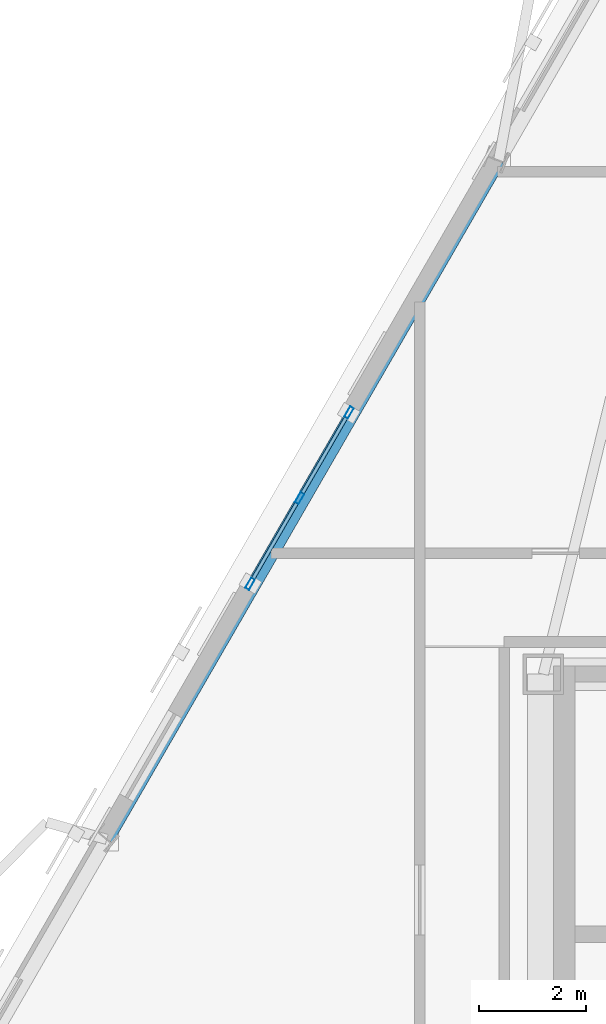
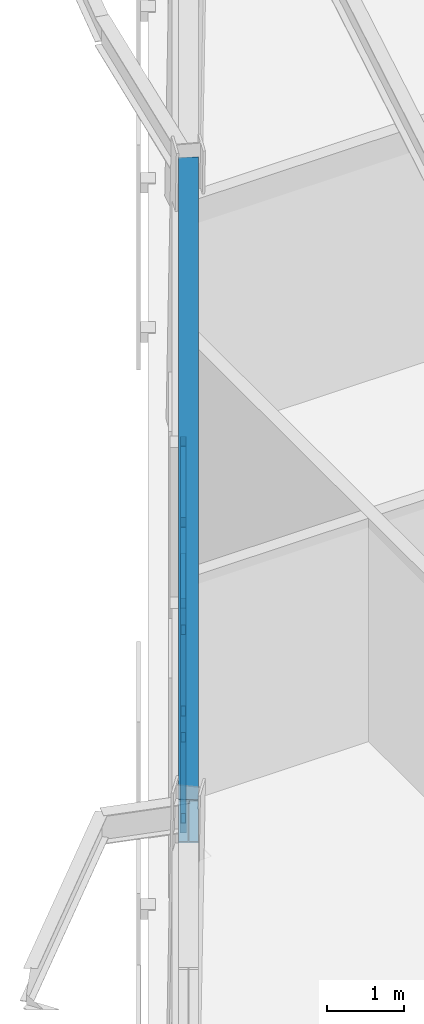
# One storey, part 4 of 14: 9 members, 1 beam, 1 element without a shape of its own.
"""IFC4 building model written with IfcOpenShell, lengths in metres."""

from ifc_helpers import new_model, si_unit, direction, frame, origin, origin_2d, place, context, subcontext, project, spatial, hollow_rectangle, i_section, extrude, material, layer, layer_set, material_profile, profile_set, type_object, element, aggregate, save


model = new_model("IFC4")

# Units and contexts
model_context = context("Model", 3, precision=1e-05, world=origin(), true_north=direction((0.0, 1.0)))
body_context = subcontext(model_context, "Body", "Model", "MODEL_VIEW")
ifc_project = project(units=[si_unit("LENGTHUNIT", "METRE"), si_unit("AREAUNIT", "SQUARE_METRE"), si_unit("VOLUMEUNIT", "CUBIC_METRE"), si_unit("PLANEANGLEUNIT", "RADIAN"), si_unit("MASSUNIT", "GRAM", prefix="KILO")], contexts=[model_context])

# Site, building, storey
site_placement = place(None, origin())
site = spatial("IfcSite", under=ifc_project, at=site_placement, CompositionType="ELEMENT")
building_placement = place(site_placement, origin())
building = spatial("IfcBuilding", under=site, at=building_placement, Name="Oramaril Tower", CompositionType="ELEMENT")
storey_placement = place(building_placement, frame((0.0, 0.0, 204.60009765625)))
storey = spatial("IfcBuildingStorey", under=building, at=storey_placement, Name="L54", CompositionType="ELEMENT", Elevation=204.60009765625)

# Beam
ifc_material_1 = material(Name="Steel ASTM A572 Gr 50", Category="steel")
ifc_material_profile_1 = material_profile(ifc_material_1, i_section(OverallWidth=0.257080078125, OverallDepth=0.693115234375, WebThickness=0.014404296875, FlangeThickness=0.023681640625, at=origin_2d()), Name="W27X114")
ifc_profile_set_1 = profile_set([ifc_material_profile_1], Name="Steel ASTM A572 Gr 50")
beam_type = type_object("IfcBeamType", Name="BT-SP4", PredefinedType="SPANDREL", material=ifc_profile_set_1)
beam_placement = place(storey_placement, frame((28.517578125, 33.70751953125, 3.933349609375), z_axis=(-0.499996765972, -0.866027270944, 0.0), x_axis=(0.866027270944, -0.499996765972, 0.0)))
element("IfcBeam", 1, at=beam_placement, inside=storey, type_object=beam_type, Name="L54 Perimeter Spandrel 16", PredefinedType="SPANDREL", context=body_context, shape_type="SweptSolid", body=[
    extrude(i_section(OverallWidth=0.257080078125, OverallDepth=0.693115234375, WebThickness=0.014404296875, FlangeThickness=0.023681640625, at=origin_2d()), origin(), (0.0, 0.0, 1.0), 14.58642578125),
])

# Curtain wall, members
ifc_material_2 = material(Name="Anodised Aluminium 6063-T6", Category="aluminium")
ifc_layer = layer(ifc_material_2, 0.219970703125)
ifc_layer_set = layer_set([ifc_layer], Name="CWT-SYS5")
curtain_wall_type = type_object("IfcCurtainWallType", Name="CWT-SYS5", PredefinedType="NOTDEFINED", material=ifc_layer_set)
curtain_wall_placement = place(storey_placement, origin())
curtain_wall = element("IfcCurtainWall", 2, at=curtain_wall_placement, inside=storey, type_object=curtain_wall_type, Name="L54 Unitised Curtain Wall CW-5", PredefinedType="NOTDEFINED")
ifc_material_3 = material(Name="Anodised Aluminium 6063-T6", Category="aluminium")
ifc_material_profile_2 = material_profile(ifc_material_3, hollow_rectangle(XDim=0.080078125, YDim=0.219970703125, WallThickness=0.00390625, at=origin_2d()), Name="CWM220X80")
ifc_profile_set_2 = profile_set([ifc_material_profile_2], Name="Anodised Aluminium 6063-T6")
member_type_1 = type_object("IfcMemberType", Name="MT-CWM1", PredefinedType="MULLION", material=ifc_profile_set_2)
member_1_placement = place(storey_placement, frame((25.732177734375, 29.018798828125, 0.0), z_axis=(0.0, 0.0, 1.0), x_axis=(0.866025463091, -0.499999897278, 0.0)))
member_1 = element("IfcMember", 3, at=member_1_placement, type_object=member_type_1, Name="CW-5 mullion 1", PredefinedType="MULLION", context=body_context, shape_type="SweptSolid", body=[
    extrude(hollow_rectangle(XDim=0.080078125, YDim=0.219970703125, WallThickness=0.00390625, at=origin_2d()), origin(), (0.0, 0.0, 1.0), 3.576904296875),
])
member_2_placement = place(storey_placement, frame((24.81201171875, 27.42529296875, 0.0), z_axis=(0.0, 0.0, 1.0), x_axis=(0.866025463091, -0.499999897278, 0.0)))
member_2 = element("IfcMember", 4, at=member_2_placement, type_object=member_type_1, Name="CW-5 mullion 2", PredefinedType="MULLION", context=body_context, shape_type="SweptSolid", body=[
    extrude(hollow_rectangle(XDim=0.080078125, YDim=0.219970703125, WallThickness=0.00390625, at=origin_2d()), origin(), (0.0, 0.0, 1.0), 3.576904296875),
])
member_3_placement = place(storey_placement, frame((23.89208984375, 25.831787109375, 0.0), z_axis=(0.0, 0.0, 1.0), x_axis=(0.866025463091, -0.499999897278, 0.0)))
member_3 = element("IfcMember", 5, at=member_3_placement, type_object=member_type_1, Name="CW-5 mullion 3", PredefinedType="MULLION", context=body_context, shape_type="SweptSolid", body=[
    extrude(hollow_rectangle(XDim=0.080078125, YDim=0.219970703125, WallThickness=0.00390625, at=origin_2d()), origin(), (0.0, 0.0, 1.0), 3.576904296875),
])
ifc_material_4 = material(Name="Anodised Aluminium 6063-T6", Category="aluminium")
ifc_material_profile_3 = material_profile(ifc_material_4, hollow_rectangle(XDim=0.070068359375, YDim=0.159912109375, WallThickness=0.00390625, at=origin_2d()), Name="CWT160X70")
ifc_profile_set_3 = profile_set([ifc_material_profile_3], Name="Anodised Aluminium 6063-T6")
member_type_2 = type_object("IfcMemberType", Name="MT-CWT1", PredefinedType="USERDEFINED", material=ifc_profile_set_3)
member_4_placement = place(storey_placement, frame((25.677001953125, 28.923583984375, 0.079833984375), z_axis=(-0.499883351328, -0.866092740453, 0.0), x_axis=(0.866092740453, -0.499883351328, 0.0)))
member_4 = element("IfcMember", 6, at=member_4_placement, type_object=member_type_2, Name="CW-5 transom 1.1", ObjectType="TRANSOM", PredefinedType="USERDEFINED", context=body_context, shape_type="SweptSolid", body=[
    extrude(hollow_rectangle(XDim=0.070068359375, YDim=0.159912109375, WallThickness=0.00390625, at=origin_2d()), origin(), (0.0, 0.0, 1.0), 1.6201171875),
])
member_5_placement = place(storey_placement, frame((25.677001953125, 28.923583984375, 1.788330078125), z_axis=(-0.499883351328, -0.866092740453, 0.0), x_axis=(0.866092740453, -0.499883351328, 0.0)))
member_5 = element("IfcMember", 7, at=member_5_placement, type_object=member_type_2, Name="CW-5 transom 1.2", ObjectType="TRANSOM", PredefinedType="USERDEFINED", context=body_context, shape_type="SweptSolid", body=[
    extrude(hollow_rectangle(XDim=0.070068359375, YDim=0.159912109375, WallThickness=0.00390625, at=origin_2d()), origin(), (0.0, 0.0, 1.0), 1.6201171875),
])
member_6_placement = place(storey_placement, frame((25.677001953125, 28.923583984375, 3.496826171875), z_axis=(-0.499883351328, -0.866092740453, 0.0), x_axis=(0.866092740453, -0.499883351328, 0.0)))
member_6 = element("IfcMember", 8, at=member_6_placement, type_object=member_type_2, Name="CW-5 transom 1.3", ObjectType="TRANSOM", PredefinedType="USERDEFINED", context=body_context, shape_type="SweptSolid", body=[
    extrude(hollow_rectangle(XDim=0.070068359375, YDim=0.159912109375, WallThickness=0.00390625, at=origin_2d()), origin(), (0.0, 0.0, 1.0), 1.6201171875),
])
member_7_placement = place(storey_placement, frame((24.757080078125, 27.330078125, 0.079833984375), z_axis=(-0.500061642096, -0.865989811779, 0.0), x_axis=(0.865989811779, -0.500061642096, 0.0)))
member_7 = element("IfcMember", 9, at=member_7_placement, type_object=member_type_2, Name="CW-5 transom 2.1", ObjectType="TRANSOM", PredefinedType="USERDEFINED", context=body_context, shape_type="SweptSolid", body=[
    extrude(hollow_rectangle(XDim=0.070068359375, YDim=0.159912109375, WallThickness=0.00390625, at=origin_2d()), origin(), (0.0, 0.0, 1.0), 1.619873046875),
])
member_8_placement = place(storey_placement, frame((24.757080078125, 27.330078125, 1.788330078125), z_axis=(-0.500061642096, -0.865989811779, 0.0), x_axis=(0.865989811779, -0.500061642096, 0.0)))
member_8 = element("IfcMember", 10, at=member_8_placement, type_object=member_type_2, Name="CW-5 transom 2.2", ObjectType="TRANSOM", PredefinedType="USERDEFINED", context=body_context, shape_type="SweptSolid", body=[
    extrude(hollow_rectangle(XDim=0.070068359375, YDim=0.159912109375, WallThickness=0.00390625, at=origin_2d()), origin(), (0.0, 0.0, 1.0), 1.619873046875),
])
member_9_placement = place(storey_placement, frame((24.757080078125, 27.330078125, 3.496826171875), z_axis=(-0.500061642096, -0.865989811779, 0.0), x_axis=(0.865989811779, -0.500061642096, 0.0)))
member_9 = element("IfcMember", 11, at=member_9_placement, type_object=member_type_2, Name="CW-5 transom 2.3", ObjectType="TRANSOM", PredefinedType="USERDEFINED", context=body_context, shape_type="SweptSolid", body=[
    extrude(hollow_rectangle(XDim=0.070068359375, YDim=0.159912109375, WallThickness=0.00390625, at=origin_2d()), origin(), (0.0, 0.0, 1.0), 1.619873046875),
])
aggregate(curtain_wall, [member_1, member_2, member_3, member_4, member_5, member_6, member_7, member_8, member_9])

save(model, "model.ifc")
